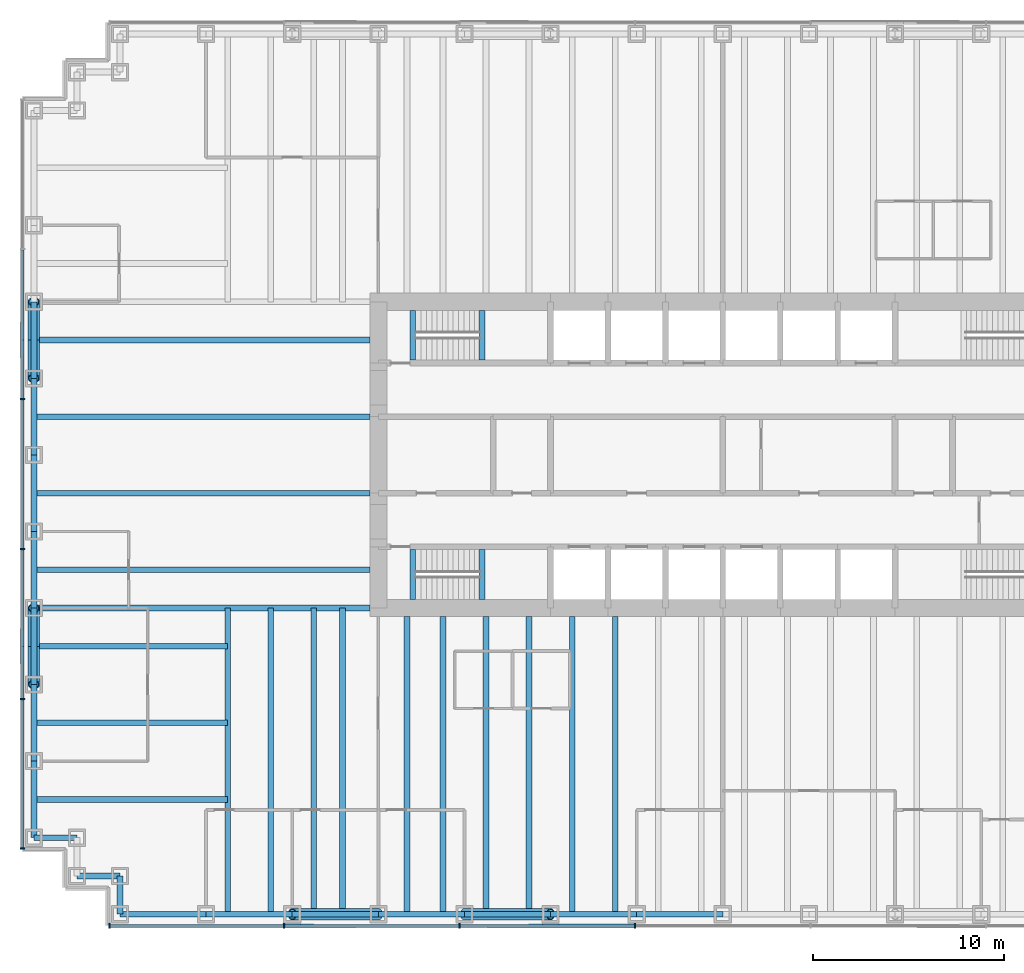
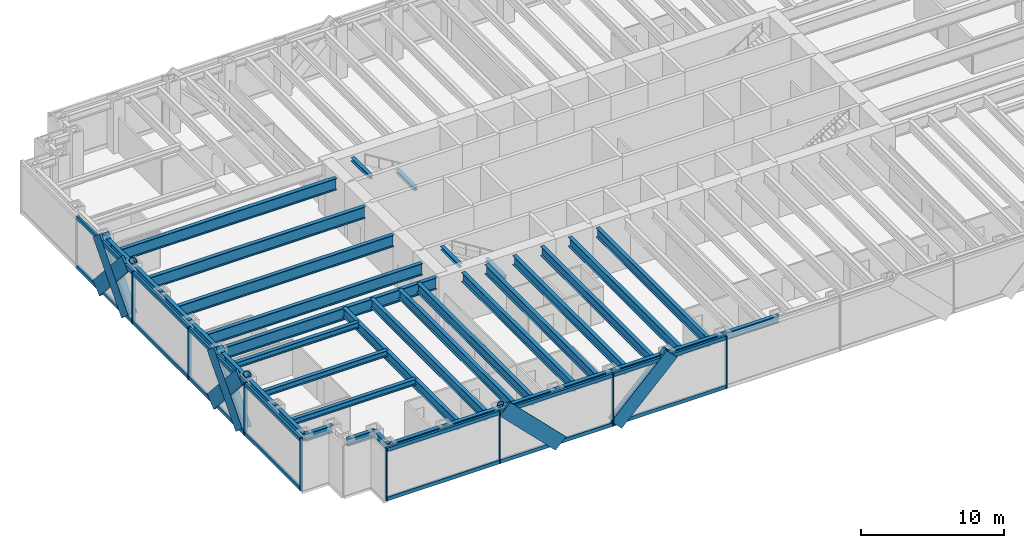
# One storey, part 2 of 13: 39 beams, 34 members, 2 elements without a shape of their own.
"""IFC4 building model written with IfcOpenShell, lengths in metres."""

from ifc_helpers import new_model, si_unit, direction, frame, origin, origin_2d, place, context, subcontext, project, spatial, rectangle, hollow_circle, i_section, extrude, material, material_profile, profile_set, type_object, element, aggregate, save


model = new_model("IFC4")

# Units and contexts
model_context = context("Model", 3, precision=1e-05, world=origin(), true_north=direction((0.0, 1.0)))
body_context = subcontext(model_context, "Body", "Model", "MODEL_VIEW")
ifc_project = project(units=[si_unit("LENGTHUNIT", "METRE"), si_unit("AREAUNIT", "SQUARE_METRE"), si_unit("VOLUMEUNIT", "CUBIC_METRE"), si_unit("PLANEANGLEUNIT", "RADIAN"), si_unit("MASSUNIT", "GRAM", prefix="KILO")], contexts=[model_context])

# Site, building, storey
site_placement = place(None, origin())
site = spatial("IfcSite", under=ifc_project, at=site_placement, CompositionType="ELEMENT")
building_placement = place(site_placement, origin())
building = spatial("IfcBuilding", under=site, at=building_placement, Name="Rheinbord Bourse Tower", CompositionType="ELEMENT")
storey_placement = place(building_placement, frame((0.0, 0.0, 50.0)))
storey = spatial("IfcBuildingStorey", under=building, at=storey_placement, Name="L10", CompositionType="ELEMENT", Elevation=50.0)

# Curtain wall, members
ifc_material_1 = material(Name="Dark glass and black aluminium", Category="aluminium")
curtain_wall_type = type_object("IfcCurtainWallType", Name="CW1 DARK GLASS CURTAIN WALL", PredefinedType="USERDEFINED", material=ifc_material_1)
curtain_wall_1_placement = place(storey_placement, origin())
curtain_wall_1 = element("IfcCurtainWall", 1, at=curtain_wall_1_placement, inside=storey, type_object=curtain_wall_type, Name="Curtain wall CW1 S L10", ObjectType="UNITISED CURTAIN WALL", PredefinedType="USERDEFINED")
ifc_material_2 = material(Name="Black anodised aluminium", Category="aluminium")
ifc_material_profile_1 = material_profile(ifc_material_2, rectangle(XDim=0.179931640625, YDim=1.2099609375, at=origin_2d()), Name="CW1 DIAGONAL MULLION 1210x180")
ifc_profile_set_1 = profile_set([ifc_material_profile_1], Name="Black anodised aluminium")
member_type_1 = type_object("IfcMemberType", Name="CW1 BLACK DIAGONAL MULLION", PredefinedType="USERDEFINED", material=ifc_profile_set_1)
member_1_placement = place(storey_placement, frame((18.0, -0.60009765625, 0.0), z_axis=(-0.707106781187, 0.0, 0.707106781187), x_axis=(0.0, -1.0, 0.0)))
member_1 = element("IfcMember", 2, at=member_1_placement, type_object=member_type_1, Name="CW1 diagonal mullion b", ObjectType="DIAGONAL MULLION", PredefinedType="USERDEFINED", context=body_context, shape_type="SweptSolid", body=[
    extrude(rectangle(XDim=0.179931640625, YDim=1.2099609375, at=origin_2d()), origin(), (0.0, 0.0, 1.0), 6.364013671875),
])
member_2_placement = place(storey_placement, frame((22.5, -0.60009765625, 0.0), z_axis=(0.707106781187, 0.0, 0.707106781187), x_axis=(0.0, 1.0, 0.0)))
member_2 = element("IfcMember", 3, at=member_2_placement, type_object=member_type_1, Name="CW1 diagonal mullion d", ObjectType="DIAGONAL MULLION", PredefinedType="USERDEFINED", context=body_context, shape_type="SweptSolid", body=[
    extrude(rectangle(XDim=0.179931640625, YDim=1.2099609375, at=origin_2d()), origin(), (0.0, 0.0, 1.0), 6.364013671875),
])

curtain_wall_2_placement = place(storey_placement, origin())
curtain_wall_2 = element("IfcCurtainWall", 4, at=curtain_wall_2_placement, inside=storey, type_object=curtain_wall_type, Name="Curtain wall CW1 W L10", ObjectType="UNITISED CURTAIN WALL", PredefinedType="USERDEFINED")
member_3_placement = place(storey_placement, frame((-0.60009765625, 32.0, 0.0), z_axis=(0.0, -0.66436383883, 0.747409318684), x_axis=(1.0, 0.0, 0.0)))
member_3 = element("IfcMember", 5, at=member_3_placement, type_object=member_type_1, Name="CW1 diagonal mullion a", ObjectType="DIAGONAL MULLION", PredefinedType="USERDEFINED", context=body_context, shape_type="SweptSolid", body=[
    extrude(rectangle(XDim=0.179931640625, YDim=1.2099609375, at=origin_2d()), origin(), (0.0, 0.0, 1.0), 6.020751953125),
])
member_4_placement = place(storey_placement, frame((-0.60009765625, 12.0, 0.0), z_axis=(0.0, 0.66436383883, 0.747409318684), x_axis=(-1.0, 0.0, 0.0)))
member_4 = element("IfcMember", 6, at=member_4_placement, type_object=member_type_1, Name="CW1 diagonal mullion b", ObjectType="DIAGONAL MULLION", PredefinedType="USERDEFINED", context=body_context, shape_type="SweptSolid", body=[
    extrude(rectangle(XDim=0.179931640625, YDim=1.2099609375, at=origin_2d()), origin(), (0.0, 0.0, 1.0), 6.020751953125),
])
member_5_placement = place(storey_placement, frame((-0.60009765625, 16.0, 0.0), z_axis=(0.0, -0.66436383883, 0.747409318684), x_axis=(1.0, 0.0, 0.0)))
member_5 = element("IfcMember", 7, at=member_5_placement, type_object=member_type_1, Name="CW1 diagonal mullion c", ObjectType="DIAGONAL MULLION", PredefinedType="USERDEFINED", context=body_context, shape_type="SweptSolid", body=[
    extrude(rectangle(XDim=0.179931640625, YDim=1.2099609375, at=origin_2d()), origin(), (0.0, 0.0, 1.0), 6.020751953125),
])
member_6_placement = place(storey_placement, frame((-0.60009765625, 28.0, 0.0), z_axis=(0.0, 0.66436383883, 0.747409318684), x_axis=(-1.0, 0.0, 0.0)))
member_6 = element("IfcMember", 8, at=member_6_placement, type_object=member_type_1, Name="CW1 diagonal mullion d", ObjectType="DIAGONAL MULLION", PredefinedType="USERDEFINED", context=body_context, shape_type="SweptSolid", body=[
    extrude(rectangle(XDim=0.179931640625, YDim=1.2099609375, at=origin_2d()), origin(), (0.0, 0.0, 1.0), 6.020751953125),
])

# Member
ifc_material_3 = material(Name="Black anodised aluminium", Category="aluminium")
ifc_material_profile_2 = material_profile(ifc_material_3, rectangle(XDim=0.25, YDim=0.080078125, at=origin_2d()), Name="CW1 MULLION 80x250")
ifc_profile_set_2 = profile_set([ifc_material_profile_2], Name="Black anodised aluminium")
member_type_2 = type_object("IfcMemberType", Name="CW1 BLACK MULLION", PredefinedType="MULLION", material=ifc_profile_set_2)
member_7_placement = place(storey_placement, frame((3.93994140625, -0.60009765625, 0.0), z_axis=(0.0, 0.0, 1.0), x_axis=(0.0, 1.0, 0.0)))
member_7 = element("IfcMember", 9, at=member_7_placement, type_object=member_type_2, Name="CW1 mullion 1", PredefinedType="MULLION", context=body_context, shape_type="SweptSolid", body=[
    extrude(rectangle(XDim=0.25, YDim=0.080078125, at=origin_2d()), origin(), (0.0, 0.0, 1.0), 4.5),
])

member_8_placement = place(storey_placement, frame((13.071533203125, -0.60009765625, 0.0), z_axis=(0.0, 0.0, 1.0), x_axis=(0.0, 1.0, 0.0)))
member_8 = element("IfcMember", 10, at=member_8_placement, type_object=member_type_2, Name="CW1 mullion 2", PredefinedType="MULLION", context=body_context, shape_type="SweptSolid", body=[
    extrude(rectangle(XDim=0.25, YDim=0.080078125, at=origin_2d()), origin(), (0.0, 0.0, 1.0), 4.5),
])

member_9_placement = place(storey_placement, frame((22.242919921875, -0.60009765625, 0.0), z_axis=(0.0, 0.0, 1.0), x_axis=(0.0, 1.0, 0.0)))
member_9 = element("IfcMember", 11, at=member_9_placement, type_object=member_type_2, Name="CW1 mullion 3", PredefinedType="MULLION", context=body_context, shape_type="SweptSolid", body=[
    extrude(rectangle(XDim=0.25, YDim=0.080078125, at=origin_2d()), origin(), (0.0, 0.0, 1.0), 4.5),
])

member_10_placement = place(storey_placement, frame((31.414306640625, -0.60009765625, 0.0), z_axis=(0.0, 0.0, 1.0), x_axis=(0.0, 1.0, 0.0)))
member_10 = element("IfcMember", 12, at=member_10_placement, type_object=member_type_2, Name="CW1 mullion 4", PredefinedType="MULLION", context=body_context, shape_type="SweptSolid", body=[
    extrude(rectangle(XDim=0.25, YDim=0.080078125, at=origin_2d()), origin(), (0.0, 0.0, 1.0), 4.5),
])

member_11_placement = place(storey_placement, frame((-0.60009765625, 26.919921875, 0.0), z_axis=(0.0, 0.0, 1.0), x_axis=(1.0, 0.0, 0.0)))
member_11 = element("IfcMember", 13, at=member_11_placement, type_object=member_type_2, Name="CW1 mullion 3", PredefinedType="MULLION", context=body_context, shape_type="SweptSolid", body=[
    extrude(rectangle(XDim=0.25, YDim=0.080078125, at=origin_2d()), origin(), (0.0, 0.0, 1.0), 4.5),
])

member_12_placement = place(storey_placement, frame((-0.60009765625, 19.080078125, 0.0), z_axis=(0.0, 0.0, 1.0), x_axis=(1.0, 0.0, 0.0)))
member_12 = element("IfcMember", 14, at=member_12_placement, type_object=member_type_2, Name="CW1 mullion 4", PredefinedType="MULLION", context=body_context, shape_type="SweptSolid", body=[
    extrude(rectangle(XDim=0.25, YDim=0.080078125, at=origin_2d()), origin(), (0.0, 0.0, 1.0), 4.5),
])

member_13_placement = place(storey_placement, frame((-0.60009765625, 11.239990234375, 0.0), z_axis=(0.0, 0.0, 1.0), x_axis=(1.0, 0.0, 0.0)))
member_13 = element("IfcMember", 15, at=member_13_placement, type_object=member_type_2, Name="CW1 mullion 5", PredefinedType="MULLION", context=body_context, shape_type="SweptSolid", body=[
    extrude(rectangle(XDim=0.25, YDim=0.080078125, at=origin_2d()), origin(), (0.0, 0.0, 1.0), 4.5),
])

member_14_placement = place(storey_placement, frame((-0.60009765625, 3.43994140625, 0.0), z_axis=(0.0, 0.0, 1.0), x_axis=(1.0, 0.0, 0.0)))
member_14 = element("IfcMember", 16, at=member_14_placement, type_object=member_type_2, Name="CW1 mullion 6", PredefinedType="MULLION", context=body_context, shape_type="SweptSolid", body=[
    extrude(rectangle(XDim=0.25, YDim=0.080078125, at=origin_2d()), origin(), (0.0, 0.0, 1.0), 4.5),
])

ifc_material_4 = material(Name="Black anodised aluminium", Category="aluminium")
ifc_material_profile_3 = material_profile(ifc_material_4, rectangle(XDim=0.179931640625, YDim=0.300048828125, at=origin_2d()), Name="CW1 TRANSOM 300x180")
ifc_profile_set_3 = profile_set([ifc_material_profile_3], Name="Black anodised aluminium")
member_type_3 = type_object("IfcMemberType", Name="CW1 BLACK TRANSOM", PredefinedType="USERDEFINED", material=ifc_profile_set_3)
member_15_placement = place(storey_placement, frame((3.97998046875, -0.60009765625, 0.14990234375), z_axis=(1.0, 0.0, 0.0), x_axis=(0.0, 1.0, 0.0)))
member_15 = element("IfcMember", 17, at=member_15_placement, type_object=member_type_3, Name="CW1 transom 1.1", ObjectType="TRANSOM", PredefinedType="USERDEFINED", context=body_context, shape_type="SweptSolid", body=[
    extrude(rectangle(XDim=0.179931640625, YDim=0.300048828125, at=origin_2d()), origin(), (0.0, 0.0, 1.0), 9.051513671875),
])

member_16_placement = place(storey_placement, frame((3.97998046875, -0.60009765625, 4.35009765625), z_axis=(1.0, 0.0, 0.0), x_axis=(0.0, 1.0, 0.0)))
member_16 = element("IfcMember", 18, at=member_16_placement, type_object=member_type_3, Name="CW1 transom 1.2", ObjectType="TRANSOM", PredefinedType="USERDEFINED", context=body_context, shape_type="SweptSolid", body=[
    extrude(rectangle(XDim=0.179931640625, YDim=0.300048828125, at=origin_2d()), origin(), (0.0, 0.0, 1.0), 9.051513671875),
])

member_17_placement = place(storey_placement, frame((13.111328125, -0.60009765625, 0.14990234375), z_axis=(1.0, 0.0, 0.0), x_axis=(0.0, 1.0, 0.0)))
member_17 = element("IfcMember", 19, at=member_17_placement, type_object=member_type_3, Name="CW1 transom 2.1", ObjectType="TRANSOM", PredefinedType="USERDEFINED", context=body_context, shape_type="SweptSolid", body=[
    extrude(rectangle(XDim=0.179931640625, YDim=0.300048828125, at=origin_2d()), origin(), (0.0, 0.0, 1.0), 9.091552734375),
])

member_18_placement = place(storey_placement, frame((13.111328125, -0.60009765625, 4.35009765625), z_axis=(1.0, 0.0, 0.0), x_axis=(0.0, 1.0, 0.0)))
member_18 = element("IfcMember", 20, at=member_18_placement, type_object=member_type_3, Name="CW1 transom 2.2", ObjectType="TRANSOM", PredefinedType="USERDEFINED", context=body_context, shape_type="SweptSolid", body=[
    extrude(rectangle(XDim=0.179931640625, YDim=0.300048828125, at=origin_2d()), origin(), (0.0, 0.0, 1.0), 9.091552734375),
])

member_19_placement = place(storey_placement, frame((22.282958984375, -0.60009765625, 0.14990234375), z_axis=(1.0, 0.0, 0.0), x_axis=(0.0, 1.0, 0.0)))
member_19 = element("IfcMember", 21, at=member_19_placement, type_object=member_type_3, Name="CW1 transom 3.1", ObjectType="TRANSOM", PredefinedType="USERDEFINED", context=body_context, shape_type="SweptSolid", body=[
    extrude(rectangle(XDim=0.179931640625, YDim=0.300048828125, at=origin_2d()), origin(), (0.0, 0.0, 1.0), 9.09130859375),
])

member_20_placement = place(storey_placement, frame((22.282958984375, -0.60009765625, 4.35009765625), z_axis=(1.0, 0.0, 0.0), x_axis=(0.0, 1.0, 0.0)))
member_20 = element("IfcMember", 22, at=member_20_placement, type_object=member_type_3, Name="CW1 transom 3.2", ObjectType="TRANSOM", PredefinedType="USERDEFINED", context=body_context, shape_type="SweptSolid", body=[
    extrude(rectangle(XDim=0.179931640625, YDim=0.300048828125, at=origin_2d()), origin(), (0.0, 0.0, 1.0), 9.09130859375),
])

aggregate(curtain_wall_1, [member_7, member_8, member_9, member_10, member_15, member_16, member_17, member_18, member_19, member_20, member_1, member_2])

member_21_placement = place(storey_placement, frame((-0.60009765625, 34.719970703125, 0.14990234375), z_axis=(0.0, -1.0, 0.0), x_axis=(1.0, 0.0, 0.0)))
member_21 = element("IfcMember", 23, at=member_21_placement, type_object=member_type_3, Name="CW1 transom 2.1", ObjectType="TRANSOM", PredefinedType="USERDEFINED", context=body_context, shape_type="SweptSolid", body=[
    extrude(rectangle(XDim=0.179931640625, YDim=0.300048828125, at=origin_2d()), origin(), (0.0, 0.0, 1.0), 7.760009765625),
])

member_22_placement = place(storey_placement, frame((-0.60009765625, 34.719970703125, 4.35009765625), z_axis=(0.0, -1.0, 0.0), x_axis=(1.0, 0.0, 0.0)))
member_22 = element("IfcMember", 24, at=member_22_placement, type_object=member_type_3, Name="CW1 transom 2.2", ObjectType="TRANSOM", PredefinedType="USERDEFINED", context=body_context, shape_type="SweptSolid", body=[
    extrude(rectangle(XDim=0.179931640625, YDim=0.300048828125, at=origin_2d()), origin(), (0.0, 0.0, 1.0), 7.760009765625),
])

member_23_placement = place(storey_placement, frame((-0.60009765625, 26.8798828125, 0.14990234375), z_axis=(0.0, -1.0, 0.0), x_axis=(1.0, 0.0, 0.0)))
member_23 = element("IfcMember", 25, at=member_23_placement, type_object=member_type_3, Name="CW1 transom 3.1", ObjectType="TRANSOM", PredefinedType="USERDEFINED", context=body_context, shape_type="SweptSolid", body=[
    extrude(rectangle(XDim=0.179931640625, YDim=0.300048828125, at=origin_2d()), origin(), (0.0, 0.0, 1.0), 7.759765625),
])

member_24_placement = place(storey_placement, frame((-0.60009765625, 26.8798828125, 4.35009765625), z_axis=(0.0, -1.0, 0.0), x_axis=(1.0, 0.0, 0.0)))
member_24 = element("IfcMember", 26, at=member_24_placement, type_object=member_type_3, Name="CW1 transom 3.2", ObjectType="TRANSOM", PredefinedType="USERDEFINED", context=body_context, shape_type="SweptSolid", body=[
    extrude(rectangle(XDim=0.179931640625, YDim=0.300048828125, at=origin_2d()), origin(), (0.0, 0.0, 1.0), 7.759765625),
])

member_25_placement = place(storey_placement, frame((-0.60009765625, 19.0400390625, 0.14990234375), z_axis=(0.0, -1.0, 0.0), x_axis=(1.0, 0.0, 0.0)))
member_25 = element("IfcMember", 27, at=member_25_placement, type_object=member_type_3, Name="CW1 transom 4.1", ObjectType="TRANSOM", PredefinedType="USERDEFINED", context=body_context, shape_type="SweptSolid", body=[
    extrude(rectangle(XDim=0.179931640625, YDim=0.300048828125, at=origin_2d()), origin(), (0.0, 0.0, 1.0), 7.760009765625),
])

member_26_placement = place(storey_placement, frame((-0.60009765625, 19.0400390625, 4.35009765625), z_axis=(0.0, -1.0, 0.0), x_axis=(1.0, 0.0, 0.0)))
member_26 = element("IfcMember", 28, at=member_26_placement, type_object=member_type_3, Name="CW1 transom 4.2", ObjectType="TRANSOM", PredefinedType="USERDEFINED", context=body_context, shape_type="SweptSolid", body=[
    extrude(rectangle(XDim=0.179931640625, YDim=0.300048828125, at=origin_2d()), origin(), (0.0, 0.0, 1.0), 7.760009765625),
])

member_27_placement = place(storey_placement, frame((-0.60009765625, 11.199951171875, 0.14990234375), z_axis=(0.0, -1.0, 0.0), x_axis=(1.0, 0.0, 0.0)))
member_27 = element("IfcMember", 29, at=member_27_placement, type_object=member_type_3, Name="CW1 transom 5.1", ObjectType="TRANSOM", PredefinedType="USERDEFINED", context=body_context, shape_type="SweptSolid", body=[
    extrude(rectangle(XDim=0.179931640625, YDim=0.300048828125, at=origin_2d()), origin(), (0.0, 0.0, 1.0), 7.719970703125),
])

member_28_placement = place(storey_placement, frame((-0.60009765625, 11.199951171875, 4.35009765625), z_axis=(0.0, -1.0, 0.0), x_axis=(1.0, 0.0, 0.0)))
member_28 = element("IfcMember", 30, at=member_28_placement, type_object=member_type_3, Name="CW1 transom 5.2", ObjectType="TRANSOM", PredefinedType="USERDEFINED", context=body_context, shape_type="SweptSolid", body=[
    extrude(rectangle(XDim=0.179931640625, YDim=0.300048828125, at=origin_2d()), origin(), (0.0, 0.0, 1.0), 7.719970703125),
])

aggregate(curtain_wall_2, [member_11, member_12, member_13, member_14, member_21, member_22, member_23, member_24, member_25, member_26, member_27, member_28, member_3, member_4, member_5, member_6])

# Beams
ifc_material_5 = material(Name="Steel S460", Category="steel")
ifc_material_profile_4 = material_profile(ifc_material_5, i_section(OverallWidth=0.302001953125, OverallDepth=1.008056640625, WebThickness=0.02099609375, FlangeThickness=0.0400390625, at=origin_2d()), Name="HEM 1000")
ifc_profile_set_4 = profile_set([ifc_material_profile_4], Name="Steel S460")
beam_type_1 = type_object("IfcBeamType", Name="END BEAM HEM 1000", PredefinedType="BEAM", material=ifc_profile_set_4)
for number, where, z_axis, x_axis, name in (
    (31, (0.0, 18.0, 3.81591796875), (1.0, 0.0, 0.0), (0.0, 1.0, 0.0), "End beam west 18 L11"),
    (32, (0.0, 22.0, 3.81591796875), (1.0, 0.0, 0.0), (0.0, 1.0, 0.0), "End beam west 22 L11"),
    (33, (0.0, 26.0, 3.81591796875), (1.0, 0.0, 0.0), (0.0, 1.0, 0.0), "End beam west 26 L11"),
    (34, (0.0, 30.0, 3.81591796875), (1.0, 0.0, 0.0), (0.0, 1.0, 0.0), "End beam west 30 L11"),
):
    element("IfcBeam", number, at=place(storey_placement, frame(where, z_axis=z_axis, x_axis=x_axis)), inside=storey, type_object=beam_type_1, Name=name, PredefinedType="BEAM", context=body_context, shape_type="SweptSolid", body=[
        extrude(i_section(OverallWidth=0.302001953125, OverallDepth=1.008056640625, WebThickness=0.02099609375, FlangeThickness=0.0400390625, at=origin_2d()), origin(), (0.0, 0.0, 1.0), 17.550048828125),
    ])
ifc_material_6 = material(Name="Steel S460", Category="steel")
ifc_material_profile_5 = material_profile(ifc_material_6, i_section(OverallWidth=0.300048828125, OverallDepth=0.800048828125, WebThickness=0.017578125, FlangeThickness=0.032958984375, at=origin_2d()), Name="HEB 800")
ifc_profile_set_5 = profile_set([ifc_material_profile_5], Name="Steel S460")
beam_type_2 = type_object("IfcBeamType", Name="FLOOR BEAM HEB 800", PredefinedType="BEAM", material=ifc_profile_set_5)
for number, where, z_axis, x_axis, name in (
    (35, (10.125, 0.0, 3.919921875), (0.0, 1.0, 0.0), (-1.0, 0.0, 0.0), "Floor beam S-9a L11"),
    (36, (12.375, 0.0, 3.919921875), (0.0, 1.0, 0.0), (-1.0, 0.0, 0.0), "Floor beam S-9b L11"),
    (37, (14.625, 0.0, 3.919921875), (0.0, 1.0, 0.0), (-1.0, 0.0, 0.0), "Floor beam S-13.5a L11"),
    (38, (16.125, 0.0, 3.919921875), (0.0, 1.0, 0.0), (-1.0, 0.0, 0.0), "Floor beam S-13.5b L11"),
):
    element("IfcBeam", number, at=place(storey_placement, frame(where, z_axis=z_axis, x_axis=x_axis)), inside=storey, type_object=beam_type_2, Name=name, PredefinedType="BEAM", context=body_context, shape_type="SweptSolid", body=[
        extrude(i_section(OverallWidth=0.300048828125, OverallDepth=0.800048828125, WebThickness=0.017578125, FlangeThickness=0.032958984375, at=origin_2d()), origin(), (0.0, 0.0, 1.0), 16.0),
    ])
for number, where, z_axis, x_axis, name in (
    (39, (19.5, 0.0, 3.919921875), (0.0, 1.0, 0.0), (-1.0, 0.0, 0.0), "Floor beam S-18a L11"),
    (40, (21.375, 0.0, 3.919921875), (0.0, 1.0, 0.0), (-1.0, 0.0, 0.0), "Floor beam S-18b L11"),
    (41, (23.625, 0.0, 3.919921875), (0.0, 1.0, 0.0), (-1.0, 0.0, 0.0), "Floor beam S-22.5a L11"),
    (42, (25.875, 0.0, 3.919921875), (0.0, 1.0, 0.0), (-1.0, 0.0, 0.0), "Floor beam S-22.5b L11"),
    (43, (28.125, 0.0, 3.919921875), (0.0, 1.0, 0.0), (-1.0, 0.0, 0.0), "Floor beam S-27a L11"),
    (44, (30.375, 0.0, 3.919921875), (0.0, 1.0, 0.0), (-1.0, 0.0, 0.0), "Floor beam S-27b L11"),
):
    element("IfcBeam", number, at=place(storey_placement, frame(where, z_axis=z_axis, x_axis=x_axis)), inside=storey, type_object=beam_type_2, Name=name, PredefinedType="BEAM", context=body_context, shape_type="SweptSolid", body=[
        extrude(i_section(OverallWidth=0.300048828125, OverallDepth=0.800048828125, WebThickness=0.017578125, FlangeThickness=0.032958984375, at=origin_2d()), origin(), (0.0, 0.0, 1.0), 15.550048828125),
    ])
ifc_material_7 = material(Name="Steel S460", Category="steel")
ifc_material_profile_6 = material_profile(ifc_material_7, i_section(OverallWidth=0.302001953125, OverallDepth=1.008056640625, WebThickness=0.02099609375, FlangeThickness=0.0400390625, at=origin_2d()), Name="HEM 1000")
ifc_profile_set_6 = profile_set([ifc_material_profile_6], Name="Steel S460")
beam_type_3 = type_object("IfcBeamType", Name="GIRDER HEM 1000", PredefinedType="BEAM", material=ifc_profile_set_6)
beam_1_placement = place(storey_placement, frame((0.0, 16.0, 3.81591796875), z_axis=(1.0, 0.0, 0.0), x_axis=(0.0, 1.0, 0.0)))
element("IfcBeam", 45, at=beam_1_placement, inside=storey, type_object=beam_type_3, Name="Girder west 16 L11", PredefinedType="BEAM", context=body_context, shape_type="SweptSolid", body=[
    extrude(i_section(OverallWidth=0.302001953125, OverallDepth=1.008056640625, WebThickness=0.02099609375, FlangeThickness=0.0400390625, at=origin_2d()), origin(), (0.0, 0.0, 1.0), 17.550048828125),
])
ifc_material_8 = material(Name="Steel S460", Category="steel")
ifc_material_profile_7 = material_profile(ifc_material_8, i_section(OverallWidth=0.300048828125, OverallDepth=0.300048828125, WebThickness=0.010986328125, FlangeThickness=0.01904296875, at=origin_2d()), Name="HEB 300")
ifc_profile_set_7 = profile_set([ifc_material_profile_7], Name="Steel S460")
beam_type_4 = type_object("IfcBeamType", Name="LANDING TRIMMER HEB 300", PredefinedType="BEAM", material=ifc_profile_set_7)
for number, where, z_axis, x_axis, name in (
    (46, (23.409912109375, 16.449951171875, 1.89990234375), (0.0, 1.0, 0.0), (-1.0, 0.0, 0.0), "Landing trimmer ST1 L10"),
    (47, (19.800048828125, 16.449951171875, 4.169921875), (0.0, 1.0, 0.0), (-1.0, 0.0, 0.0), "Well trimmer ST1 under L11"),
    (48, (23.409912109375, 28.949951171875, 1.89990234375), (0.0, 1.0, 0.0), (-1.0, 0.0, 0.0), "Landing trimmer ST2 L10"),
    (49, (19.800048828125, 28.949951171875, 4.169921875), (0.0, 1.0, 0.0), (-1.0, 0.0, 0.0), "Well trimmer ST2 under L11"),
):
    element("IfcBeam", number, at=place(storey_placement, frame(where, z_axis=z_axis, x_axis=x_axis)), inside=storey, type_object=beam_type_4, Name=name, PredefinedType="BEAM", context=body_context, shape_type="SweptSolid", body=[
        extrude(i_section(OverallWidth=0.300048828125, OverallDepth=0.300048828125, WebThickness=0.010986328125, FlangeThickness=0.01904296875, at=origin_2d()), origin(), (0.0, 0.0, 1.0), 2.60009765625),
    ])

# Members
ifc_material_9 = material(Name="Steel S460", Category="steel")
ifc_material_profile_8 = material_profile(ifc_material_9, hollow_circle(Radius=0.304931640625, WallThickness=0.050048828125, at=origin_2d()), Name="CHS 610x50")
ifc_profile_set_8 = profile_set([ifc_material_profile_8], Name="Steel S460")
member_type_4 = type_object("IfcMemberType", Name="MEGABRACE CHS 610x50", PredefinedType="BRACE", material=ifc_profile_set_8)
for number, where, z_axis, x_axis, name in (
    (50, (18.0, 0.0, 0.0), (-0.707106781187, 0.0, 0.707106781187), (0.0, -1.0, 0.0), "Megabrace S face line b L10"),
    (51, (22.5, 0.0, 0.0), (0.707106781187, 0.0, 0.707106781187), (0.0, 1.0, 0.0), "Megabrace S face line d L10"),
):
    element("IfcMember", number, at=place(storey_placement, frame(where, z_axis=z_axis, x_axis=x_axis)), inside=storey, type_object=member_type_4, Name=name, PredefinedType="BRACE", context=body_context, shape_type="SweptSolid", body=[
        extrude(hollow_circle(Radius=0.304931640625, WallThickness=0.050048828125, at=origin_2d()), origin(), (0.0, 0.0, 1.0), 6.364013671875),
    ])
for number, where, z_axis, x_axis, name in (
    (52, (0.0, 32.0, 0.0), (0.0, -0.66436383883, 0.747409318684), (1.0, 0.0, 0.0), "Megabrace W face line a L10"),
    (53, (0.0, 12.0, 0.0), (0.0, 0.66436383883, 0.747409318684), (-1.0, 0.0, 0.0), "Megabrace W face line b L10"),
    (54, (0.0, 16.0, 0.0), (0.0, -0.66436383883, 0.747409318684), (1.0, 0.0, 0.0), "Megabrace W face line c L10"),
    (55, (0.0, 28.0, 0.0), (0.0, 0.66436383883, 0.747409318684), (-1.0, 0.0, 0.0), "Megabrace W face line d L10"),
):
    element("IfcMember", number, at=place(storey_placement, frame(where, z_axis=z_axis, x_axis=x_axis)), inside=storey, type_object=member_type_4, Name=name, PredefinedType="BRACE", context=body_context, shape_type="SweptSolid", body=[
        extrude(hollow_circle(Radius=0.304931640625, WallThickness=0.050048828125, at=origin_2d()), origin(), (0.0, 0.0, 1.0), 6.020751953125),
    ])

# Beams
ifc_material_10 = material(Name="Steel S460", Category="steel")
ifc_material_profile_9 = material_profile(ifc_material_10, i_section(OverallWidth=0.304931640625, OverallDepth=0.6201171875, WebThickness=0.02099609375, FlangeThickness=0.0400390625, at=origin_2d()), Name="HEM 600")
ifc_profile_set_9 = profile_set([ifc_material_profile_9], Name="Steel S460")
beam_type_5 = type_object("IfcBeamType", Name="SPANDREL HEM 600", PredefinedType="SPANDREL", material=ifc_profile_set_9)
for number, where, z_axis, x_axis, name in (
    (56, (4.5, 0.0, 4.010009765625), (1.0, 0.0, 0.0), (0.0, 1.0, 0.0), "Spandrel SW-E-S-9 under L11"),
    (57, (9.0, 0.0, 4.010009765625), (1.0, 0.0, 0.0), (0.0, 1.0, 0.0), "Spandrel S-9-S-13.5 under L11"),
    (58, (13.5, 0.0, 4.010009765625), (1.0, 0.0, 0.0), (0.0, 1.0, 0.0), "Spandrel S-13.5-S-18 under L11"),
    (59, (18.0, 0.0, 4.010009765625), (1.0, 0.0, 0.0), (0.0, 1.0, 0.0), "Spandrel S-18-S-22.5 under L11"),
    (60, (22.5, 0.0, 4.010009765625), (1.0, 0.0, 0.0), (0.0, 1.0, 0.0), "Spandrel S-22.5-S-27 under L11"),
    (61, (27.0, 0.0, 4.010009765625), (1.0, 0.0, 0.0), (0.0, 1.0, 0.0), "Spandrel S-27-S-31.5 under L11"),
    (62, (31.5, 0.0, 4.010009765625), (1.0, 0.0, 0.0), (0.0, 1.0, 0.0), "Spandrel S-31.5-S-36 under L11"),
):
    element("IfcBeam", number, at=place(storey_placement, frame(where, z_axis=z_axis, x_axis=x_axis)), inside=storey, type_object=beam_type_5, Name=name, PredefinedType="SPANDREL", context=body_context, shape_type="SweptSolid", body=[
        extrude(i_section(OverallWidth=0.304931640625, OverallDepth=0.6201171875, WebThickness=0.02099609375, FlangeThickness=0.0400390625, at=origin_2d()), origin(), (0.0, 0.0, 1.0), 4.5),
    ])
for number, where, z_axis, x_axis, name in (
    (63, (0.0, 32.0, 4.010009765625), (0.0, -1.0, 0.0), (1.0, 0.0, 0.0), "Spandrel W-32-W-28 under L11"),
    (64, (0.0, 28.0, 4.010009765625), (0.0, -1.0, 0.0), (1.0, 0.0, 0.0), "Spandrel W-28-W-24 under L11"),
    (65, (0.0, 24.0, 4.010009765625), (0.0, -1.0, 0.0), (1.0, 0.0, 0.0), "Spandrel W-24-W-20 under L11"),
    (66, (0.0, 20.0, 4.010009765625), (0.0, -1.0, 0.0), (1.0, 0.0, 0.0), "Spandrel W-20-W-16 under L11"),
    (67, (0.0, 16.0, 4.010009765625), (0.0, -1.0, 0.0), (1.0, 0.0, 0.0), "Spandrel W-16-W-12 under L11"),
    (68, (0.0, 12.0, 4.010009765625), (0.0, -1.0, 0.0), (1.0, 0.0, 0.0), "Spandrel W-12-W-8 under L11"),
    (69, (0.0, 8.0, 4.010009765625), (0.0, -1.0, 0.0), (1.0, 0.0, 0.0), "Spandrel W-8-SW-A under L11"),
):
    element("IfcBeam", number, at=place(storey_placement, frame(where, z_axis=z_axis, x_axis=x_axis)), inside=storey, type_object=beam_type_5, Name=name, PredefinedType="SPANDREL", context=body_context, shape_type="SweptSolid", body=[
        extrude(i_section(OverallWidth=0.304931640625, OverallDepth=0.6201171875, WebThickness=0.02099609375, FlangeThickness=0.0400390625, at=origin_2d()), origin(), (0.0, 0.0, 1.0), 4.0),
    ])
for number, where, z_axis, x_axis, name in (
    (70, (0.0, 4.0, 4.010009765625), (1.0, 0.0, 0.0), (0.0, 1.0, 0.0), "Spandrel SW-A-SW-B under L11"),
    (71, (2.25, 2.0, 4.010009765625), (1.0, 0.0, 0.0), (0.0, 1.0, 0.0), "Spandrel SW-C-SW-D under L11"),
):
    element("IfcBeam", number, at=place(storey_placement, frame(where, z_axis=z_axis, x_axis=x_axis)), inside=storey, type_object=beam_type_5, Name=name, PredefinedType="SPANDREL", context=body_context, shape_type="SweptSolid", body=[
        extrude(i_section(OverallWidth=0.304931640625, OverallDepth=0.6201171875, WebThickness=0.02099609375, FlangeThickness=0.0400390625, at=origin_2d()), origin(), (0.0, 0.0, 1.0), 2.25),
    ])
beam_2_placement = place(storey_placement, frame((4.5, 2.0, 4.010009765625), z_axis=(0.0, -1.0, 0.0), x_axis=(1.0, 0.0, 0.0)))
element("IfcBeam", 72, at=beam_2_placement, inside=storey, type_object=beam_type_5, Name="Spandrel SW-D-SW-E under L11", PredefinedType="SPANDREL", context=body_context, shape_type="SweptSolid", body=[
    extrude(i_section(OverallWidth=0.304931640625, OverallDepth=0.6201171875, WebThickness=0.02099609375, FlangeThickness=0.0400390625, at=origin_2d()), origin(), (0.0, 0.0, 1.0), 2.0),
])
ifc_material_11 = material(Name="Steel S460", Category="steel")
ifc_material_profile_10 = material_profile(ifc_material_11, i_section(OverallWidth=0.300048828125, OverallDepth=0.5, WebThickness=0.014404296875, FlangeThickness=0.028076171875, at=origin_2d()), Name="HEB 500")
ifc_profile_set_10 = profile_set([ifc_material_profile_10], Name="Steel S460")
beam_type_6 = type_object("IfcBeamType", Name="TIE BEAM HEB 500", PredefinedType="JOIST", material=ifc_profile_set_10)
for number, where, z_axis, x_axis, name in (
    (73, (0.0, 6.0, 4.070068359375), (1.0, 0.0, 0.0), (0.0, 1.0, 0.0), "Tie west 6 L11"),
    (74, (0.0, 10.0, 4.070068359375), (1.0, 0.0, 0.0), (0.0, 1.0, 0.0), "Tie west 10 L11"),
    (75, (0.0, 14.0, 4.070068359375), (1.0, 0.0, 0.0), (0.0, 1.0, 0.0), "Tie west 14 L11"),
):
    element("IfcBeam", number, at=place(storey_placement, frame(where, z_axis=z_axis, x_axis=x_axis)), inside=storey, type_object=beam_type_6, Name=name, PredefinedType="JOIST", context=body_context, shape_type="SweptSolid", body=[
        extrude(i_section(OverallWidth=0.300048828125, OverallDepth=0.5, WebThickness=0.014404296875, FlangeThickness=0.028076171875, at=origin_2d()), origin(), (0.0, 0.0, 1.0), 10.125),
    ])

save(model, "model.ifc")
